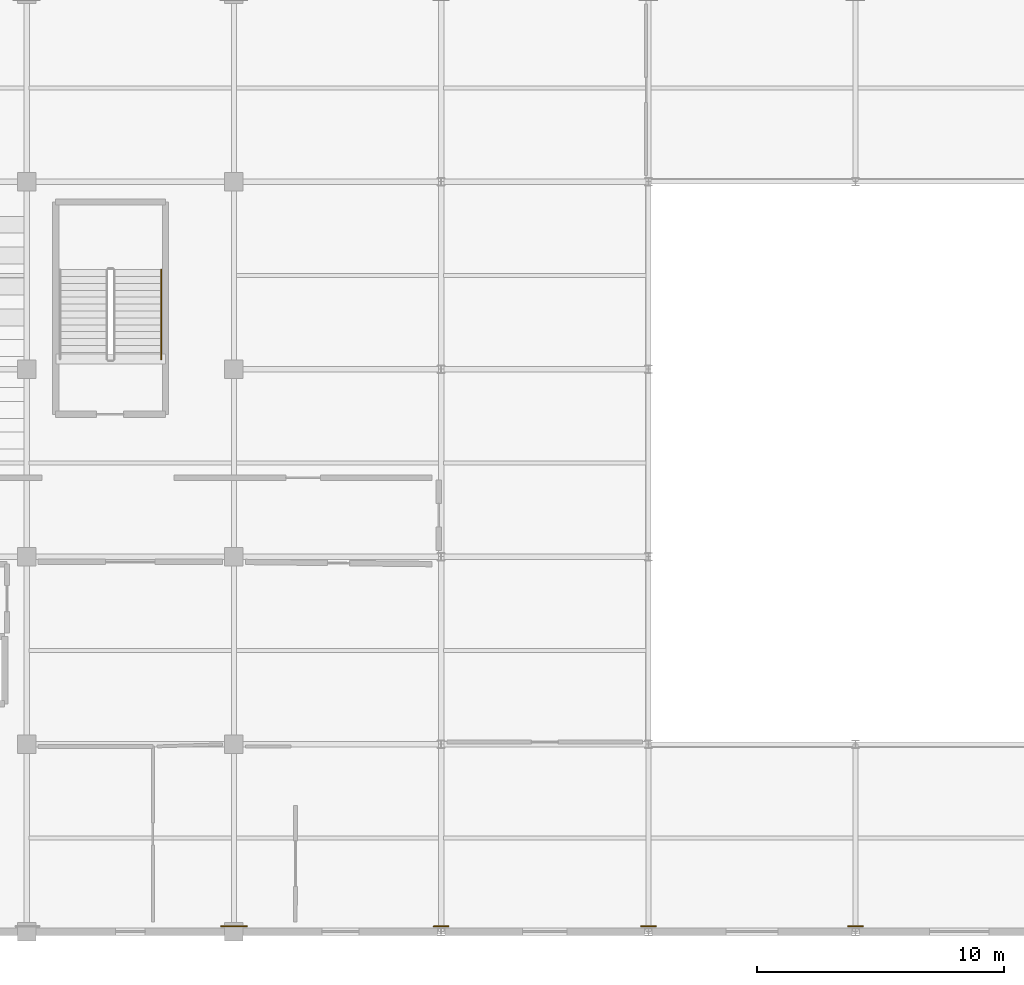
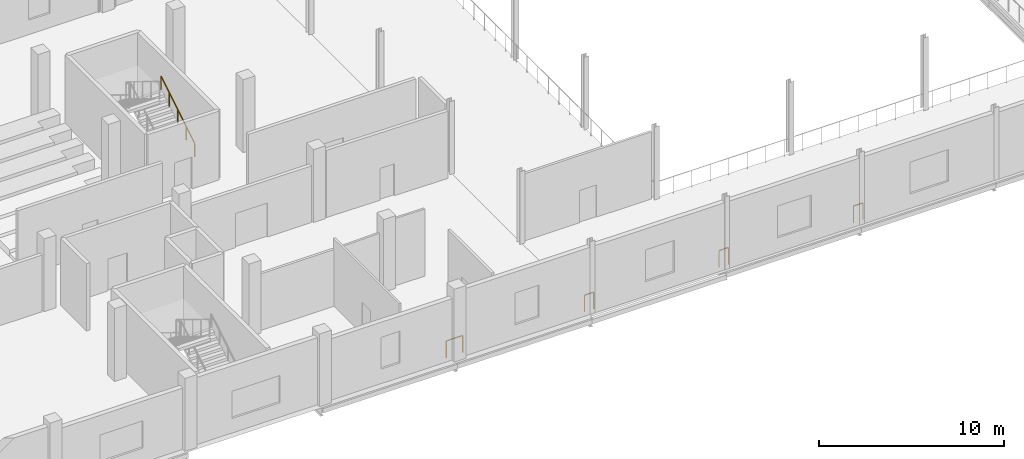
# One storey, part 40 of 51: 5 railings.
"""IFC4 building model written with IfcOpenShell, lengths in metres."""

import ifcopenshell
import ifcopenshell.guid

model = None  # the IFC model being written
_history = None  # IfcOwnerHistory: only IFC2X3 demands one
_inside = {}  # id of a spatial element -> (the spatial element, [elements in it])
_under = {}  # id of a project, library or spatial element -> (it, [spatial elements below it])
_declared = {}  # id of a project -> (the project, [libraries it declares])
_typed = {}  # id of a type object -> (the type object, [elements of that type])
_made_of = {}  # id of a material, layer set ... -> (it, [elements and type objects made of it])


def new_model(schema):
    """Start an empty IFC model of exactly this schema.

    Asked for "IFC4X3", IfcOpenShell would pick the latest addendum, in which some entities
    have other attributes; the version numbers below select the first issue.
    IFC2X3 requires an IfcOwnerHistory on every rooted entity: one is made here for all.
    """
    global model, _history
    if schema == "IFC4X3":
        model = ifcopenshell.file(schema_version=(4, 3, 0, 0))
    else:
        model = ifcopenshell.file(schema=schema)
    _inside.clear()
    _under.clear()
    _declared.clear()
    _typed.clear()
    _made_of.clear()
    _history = None
    if model.schema == "IFC2X3":
        org = make("IfcOrganization", Name="unknown")
        user = make(
            "IfcPersonAndOrganization",
            ThePerson=make("IfcPerson", FamilyName="unknown"),
            TheOrganization=org,
        )
        app = make(
            "IfcApplication",
            ApplicationDeveloper=org,
            Version="unknown",
            ApplicationFullName="unknown",
            ApplicationIdentifier="unknown",
        )
        _history = make(
            "IfcOwnerHistory",
            OwningUser=user,
            OwningApplication=app,
            ChangeAction="ADDED",
            CreationDate=0,
        )
    return model


def make(cls, **values):
    """One entity of the class cls with the attributes given. An attribute that is None is left unset."""
    return model.create_entity(
        cls, **{name: value for name, value in values.items() if value is not None}
    )


def rooted(cls, **values):
    """An entity with a GlobalId (a new one), such as an element, a storey or a relation."""
    return make(cls, GlobalId=ifcopenshell.guid.new(), OwnerHistory=_history, **values)


def si_unit(unit_type, name, prefix=None):
    """IfcSIUnit, for example si_unit("LENGTHUNIT", "METRE", prefix="MILLI")."""
    return make("IfcSIUnit", UnitType=unit_type, Prefix=prefix, Name=name)


def assignment(units):
    """IfcUnitAssignment: the units of a project."""
    return None if units is None else make("IfcUnitAssignment", Units=units)


def point(xyz):
    """IfcCartesianPoint."""
    return None if xyz is None else make("IfcCartesianPoint", Coordinates=xyz)


def direction(xyz):
    """IfcDirection."""
    return None if xyz is None else make("IfcDirection", DirectionRatios=xyz)


def frame(location, z_axis=None, x_axis=None):
    """IfcAxis2Placement3D, a coordinate frame: its origin and axes. An axis left out is left unset."""
    return make(
        "IfcAxis2Placement3D",
        Location=point(location),
        Axis=direction(z_axis),
        RefDirection=direction(x_axis),
    )


def frame_2d(location, x_axis=None):
    """IfcAxis2Placement2D, a coordinate frame in the plane: its origin and x axis."""
    return make(
        "IfcAxis2Placement2D", Location=point(location), RefDirection=direction(x_axis)
    )


def origin():
    """The frame at (0, 0, 0) with its axes left unset."""
    return frame((0.0, 0.0, 0.0))


def origin_2d():
    """The frame at (0, 0) in the plane with its x axis left unset."""
    return frame_2d((0.0, 0.0))


def place(relative_to, where):
    """IfcLocalPlacement: puts the frame where relative to a parent placement (None: the world)."""
    return make(
        "IfcLocalPlacement", PlacementRelTo=relative_to, RelativePlacement=where
    )


def context(
    kind, dimensions, precision=None, world=None, true_north=None, identifier=None
):
    """IfcGeometricRepresentationContext, for example the 3D "Model" context."""
    return make(
        "IfcGeometricRepresentationContext",
        ContextIdentifier=identifier,
        ContextType=kind,
        CoordinateSpaceDimension=dimensions,
        Precision=precision,
        WorldCoordinateSystem=world,
        TrueNorth=true_north,
    )


def subcontext(parent, identifier, kind, view, scale=None):
    """IfcGeometricRepresentationSubContext, for example "Body" below "Model"."""
    return make(
        "IfcGeometricRepresentationSubContext",
        ContextIdentifier=identifier,
        ContextType=kind,
        ParentContext=parent,
        TargetScale=scale,
        TargetView=view,
    )


def project(units=None, contexts=None):
    """IfcProject with its units and contexts."""
    return rooted(
        "IfcProject",
        Name="project",
        RepresentationContexts=contexts,
        UnitsInContext=assignment(units),
    )


def spatial(cls, under=None, at=None, **own):
    """A site, building, storey or space (cls), placed at a placement, below another one or the project."""
    s = rooted(cls, ObjectPlacement=at, **own)
    if under is not None:
        _under.setdefault(under.id(), (under, []))[1].append(s)
    return s


def profile(cls, at=None, kind="AREA", **sizes):
    """A parametric profile (cls). Its sizes go by their IFC names, for example OverallWidth=200.0."""
    return make(cls, ProfileType=kind, Position=at, **sizes)


def circle(**sizes):
    """IfcCircleProfileDef."""
    return profile("IfcCircleProfileDef", **sizes)


def extrude(swept, where, along, depth):
    """IfcExtrudedAreaSolid: the profile swept, set in the frame where, extruded along a direction by depth."""
    return make(
        "IfcExtrudedAreaSolid",
        SweptArea=swept,
        Position=where,
        ExtrudedDirection=direction(along),
        Depth=depth,
    )


def shape(context_of_items, identifier, shape_type, items):
    """IfcShapeRepresentation: the items that make up one representation, for example the "Body"."""
    return make(
        "IfcShapeRepresentation",
        ContextOfItems=context_of_items,
        RepresentationIdentifier=identifier,
        RepresentationType=shape_type,
        Items=items,
    )


def material(Name=None, Category=None):
    """IfcMaterial."""
    return make("IfcMaterial", Name=Name, Category=Category)


def made_of(thing, what):
    """Note that an element or type object is made of a material, layer set ...; save() writes the relation."""
    if what is not None:
        _made_of.setdefault(what.id(), (what, []))[1].append(thing)
    return thing


def type_object(cls, material=None, **own):
    """A type object (cls), such as IfcWallType, which elements share."""
    return made_of(rooted(cls, **own), material)


def element(
    cls,
    number,
    at=None,
    inside=None,
    cuts=None,
    type_object=None,
    material=None,
    context=None,
    identifier="Body",
    shape_type=None,
    held_by="IfcProductDefinitionShape",
    body=None,
    shapes=None,
    **own,
):
    """One element of the class cls, such as IfcWall. Its Tag is "e" and its number.

    at: its placement. inside: the storey or other place that contains it. cuts: it is an
    opening in that element (IfcRelVoidsElement). A single representation is given by context,
    identifier, shape_type and body (its items); several are given by shapes. held_by: the class
    of the entity that holds the representations. save() writes the other relations.
    """
    e = rooted(cls, Tag="e%d" % number, ObjectPlacement=at, **own)
    if body is not None:
        shapes = [shape(context, identifier, shape_type, body)]
    if shapes is not None:
        e.Representation = make(held_by, Representations=shapes)
    if inside is not None:
        _inside.setdefault(inside.id(), (inside, []))[1].append(e)
    if cuts is not None:
        rooted(
            "IfcRelVoidsElement", RelatingBuildingElement=cuts, RelatedOpeningElement=e
        )
    if type_object is not None:
        _typed.setdefault(type_object.id(), (type_object, []))[1].append(e)
    return made_of(e, material)


def aggregate(whole, parts):
    """IfcRelAggregates: a whole, such as a stair, and the parts it consists of."""
    return rooted("IfcRelAggregates", RelatingObject=whole, RelatedObjects=parts)


def save(model, path):
    """Write the relations noted so far, then the file.

    IfcRelAggregates (storeys below a building ...), IfcRelContainedInSpatialStructure (elements
    in a storey), IfcRelDefinesByType, IfcRelAssociatesMaterial and IfcRelDeclares: one each for
    every whole, place, type object, material and project.
    """
    for whole, parts in _under.values():
        aggregate(whole, parts)
    for where, things in _inside.values():
        rooted(
            "IfcRelContainedInSpatialStructure",
            RelatedElements=things,
            RelatingStructure=where,
        )
    for kind, things in _typed.values():
        rooted("IfcRelDefinesByType", RelatedObjects=things, RelatingType=kind)
    for what, things in _made_of.values():
        rooted("IfcRelAssociatesMaterial", RelatedObjects=things, RelatingMaterial=what)
    for by, libraries in _declared.values():
        rooted("IfcRelDeclares", RelatingContext=by, RelatedDefinitions=libraries)
    model.write(path)


model = new_model("IFC4")

# Units and contexts
model_context = context("Model", 3, precision=1e-05, world=origin(), true_north=direction((0.0, 1.0)))
body_context = subcontext(model_context, "Body", "Model", "MODEL_VIEW")
ifc_project = project(units=[si_unit("LENGTHUNIT", "METRE"), si_unit("AREAUNIT", "SQUARE_METRE"), si_unit("VOLUMEUNIT", "CUBIC_METRE"), si_unit("PLANEANGLEUNIT", "RADIAN"), si_unit("MASSUNIT", "GRAM", prefix="KILO")], contexts=[model_context])

# Site, building, storey
site_placement = place(None, origin())
site = spatial("IfcSite", under=ifc_project, at=site_placement, CompositionType="ELEMENT")
building_placement = place(site_placement, origin())
building = spatial("IfcBuilding", under=site, at=building_placement, Name="Zuvorla Pavilion Media Centre", CompositionType="ELEMENT")
storey_placement = place(building_placement, frame((0.0, 0.0, 4.800048828125)))
storey = spatial("IfcBuildingStorey", under=building, at=storey_placement, Name="L01", CompositionType="ELEMENT", Elevation=4.800048828125)

# Railings
ifc_material_1 = material(Name="Powder-coated steel balustrade guard", Category="steel")
railing_type_1 = type_object("IfcRailingType", Name="RL-INT-GRD", PredefinedType="BALUSTRADE", material=ifc_material_1)
railing_1_placement = place(storey_placement, frame((134.294677734375, 6.219970703125, 0.0)))
element("IfcRailing", 1, at=railing_1_placement, inside=storey, type_object=railing_type_1, Name="L01 slab edge guard 7", PredefinedType="BALUSTRADE", context=body_context, shape_type="SweptSolid", body=[
    extrude(circle(Radius=0.02392578125, at=origin_2d()), frame((-0.02880859375, 0.0, 1.09619140625), z_axis=(-1.0, 0.0, 0.0), x_axis=(0.0, -1.0, 0.0)), (0.0, 0.0, 1.0), 0.53173828125),
    extrude(circle(Radius=0.02099609375, at=origin_2d()), origin(), (0.0, 0.0, 1.0), 1.070068359375),
    extrude(circle(Radius=0.02099609375, at=origin_2d()), frame((-0.58935546875, 0.0, 0.0)), (0.0, 0.0, 1.0), 1.070068359375),
])
for number, where, name in (
    (2, (125.89453125, 6.219970703125, 0.0), "L01 slab edge guard 8"),
    (3, (117.49462890625, 6.219970703125, 0.0), "L01 slab edge guard 9"),
):
    element("IfcRailing", number, at=place(storey_placement, frame(where)), inside=storey, type_object=railing_type_1, Name=name, PredefinedType="BALUSTRADE", context=body_context, shape_type="SweptSolid", body=[
        extrude(circle(Radius=0.02392578125, at=origin_2d()), frame((-0.02880859375, 0.0, 1.09619140625), z_axis=(-1.0, 0.0, 0.0), x_axis=(0.0, -1.0, 0.0)), (0.0, 0.0, 1.0), 0.531494140625),
        extrude(circle(Radius=0.02099609375, at=origin_2d()), origin(), (0.0, 0.0, 1.0), 1.070068359375),
        extrude(circle(Radius=0.02099609375, at=origin_2d()), frame((-0.589111328125, 0.0, 0.0)), (0.0, 0.0, 1.0), 1.070068359375),
    ])
railing_2_placement = place(storey_placement, frame((109.31494140625, 6.219970703125, 0.0)))
element("IfcRailing", 4, at=railing_2_placement, inside=storey, type_object=railing_type_1, Name="L01 slab edge guard 10", PredefinedType="BALUSTRADE", context=body_context, shape_type="SweptSolid", body=[
    extrude(circle(Radius=0.02392578125, at=origin_2d()), frame((-0.02880859375, 0.0, 1.09619140625), z_axis=(-1.0, 0.0, 0.0), x_axis=(0.0, -1.0, 0.0)), (0.0, 0.0, 1.0), 0.972412109375),
    extrude(circle(Radius=0.02099609375, at=origin_2d()), origin(), (0.0, 0.0, 1.0), 1.070068359375),
    extrude(circle(Radius=0.02099609375, at=origin_2d()), frame((-1.030029296875, 0.0, 0.0)), (0.0, 0.0, 1.0), 1.070068359375),
])
ifc_material_2 = material(Name="Brushed stainless steel tubular handrail", Category="steel")
railing_type_2 = type_object("IfcRailingType", Name="RL-INT-HND", PredefinedType="HANDRAIL", material=ifc_material_2)
railing_3_placement = place(storey_placement, frame((105.85009765625, 29.199951171875, 0.17138671875)))
element("IfcRailing", 5, at=railing_3_placement, inside=storey, type_object=railing_type_2, Name="L01 ST-04 handrail 1", PredefinedType="HANDRAIL", context=body_context, shape_type="SweptSolid", body=[
    extrude(circle(Radius=0.02392578125, at=origin_2d()), frame((0.0, 0.024658203125, 0.890869140625), z_axis=(0.0, 0.852865859571, 0.52213008492), x_axis=(-1.0, 0.0, 0.0)), (0.0, 0.0, 1.0), 4.21044921875),
    extrude(circle(Radius=0.02099609375, at=origin_2d()), origin(), (0.0, 0.0, 1.0), 0.849853515625),
    extrude(circle(Radius=0.02099609375, at=origin_2d()), frame((0.0, 0.91015625, 0.55712890625)), (0.0, 0.0, 1.0), 0.849853515625),
    extrude(circle(Radius=0.02099609375, at=origin_2d()), frame((0.0, 1.820068359375, 1.1142578125)), (0.0, 0.0, 1.0), 0.849853515625),
    extrude(circle(Radius=0.02099609375, at=origin_2d()), frame((0.0, 2.72998046875, 1.67138671875)), (0.0, 0.0, 1.0), 0.849853515625),
    extrude(circle(Radius=0.02099609375, at=origin_2d()), frame((0.0, 3.64013671875, 2.228515625)), (0.0, 0.0, 1.0), 0.849853515625),
])

save(model, "model.ifc")
